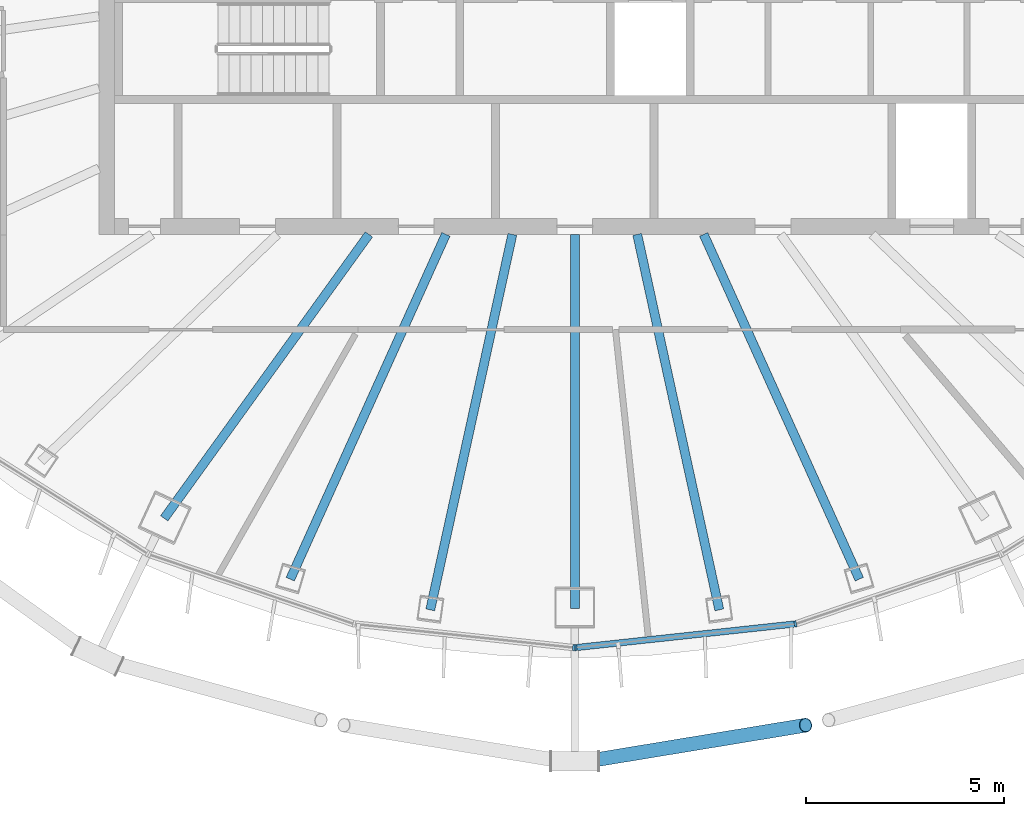
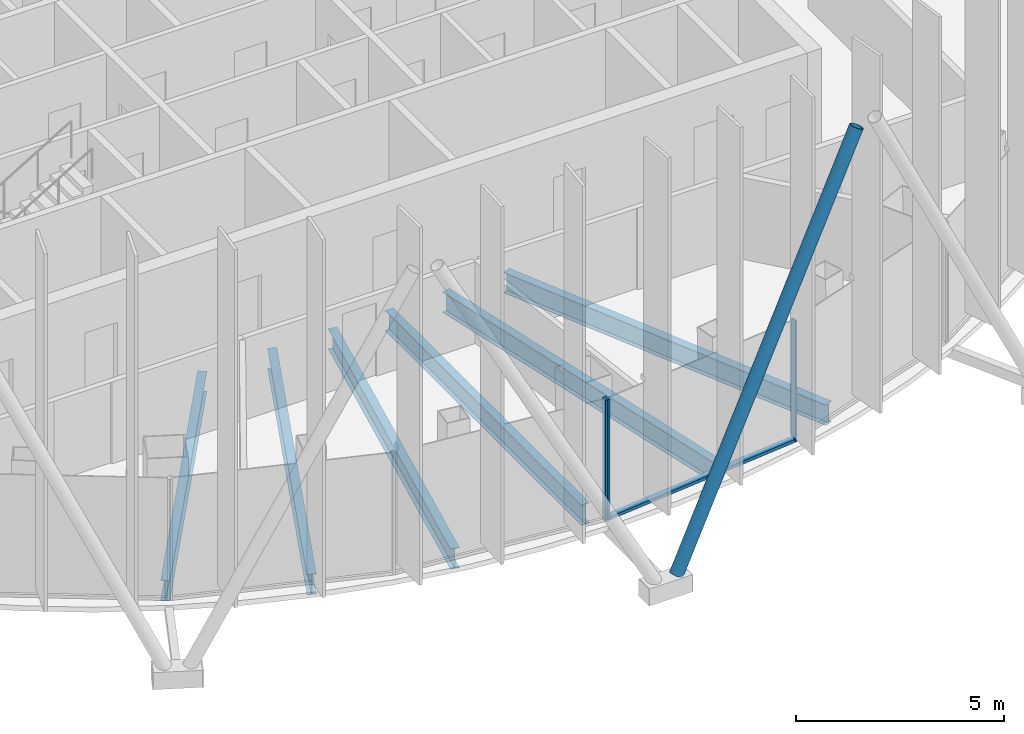
# One storey, part 3 of 20: 6 beams, 5 members, 2 elements without a shape of their own.
"""IFC4 building model written with IfcOpenShell, lengths in metres."""

from ifc_helpers import new_model, si_unit, direction, frame, origin, origin_2d, place, context, subcontext, project, spatial, rectangle, hollow_circle, i_section, extrude, material, layer, layer_set, material_profile, profile_set, type_object, element, aggregate, save


model = new_model("IFC4")

# Units and contexts
model_context = context("Model", 3, precision=1e-05, world=origin(), true_north=direction((0.0, 1.0)))
body_context = subcontext(model_context, "Body", "Model", "MODEL_VIEW")
ifc_project = project(units=[si_unit("LENGTHUNIT", "METRE"), si_unit("AREAUNIT", "SQUARE_METRE"), si_unit("VOLUMEUNIT", "CUBIC_METRE"), si_unit("PLANEANGLEUNIT", "RADIAN"), si_unit("MASSUNIT", "GRAM", prefix="KILO")], contexts=[model_context])

# Site, building, storey
site_placement = place(None, origin())
site = spatial("IfcSite", under=ifc_project, at=site_placement, CompositionType="ELEMENT")
building_placement = place(site_placement, origin())
building = spatial("IfcBuilding", under=site, at=building_placement, Name="Siaravel Broadcast Tower", CompositionType="ELEMENT")
storey_placement = place(building_placement, frame((0.0, 0.0, 228.199951171875)))
storey = spatial("IfcBuildingStorey", under=building, at=storey_placement, Name="L55", CompositionType="ELEMENT", Elevation=228.199951171875)

# Beams
ifc_material_1 = material(Name="Steel S355", Category="steel")
ifc_material_profile_1 = material_profile(ifc_material_1, i_section(OverallWidth=0.2275390625, OverallDepth=0.6025390625, WebThickness=0.010498046875, FlangeThickness=0.014892578125, FilletRadius=0.0126953125, at=origin_2d()))
ifc_profile_set_1 = profile_set([ifc_material_profile_1], Name="Steel S355")
beam_type = type_object("IfcBeamType", Name="BM-UB 610x229x101", PredefinedType="BEAM", material=ifc_profile_set_1)
beam_1_placement = place(storey_placement, frame((-10.351806640625, -14.359375, -0.451171875), z_axis=(0.584778294, 0.811193163, 0.0), x_axis=(-0.811193163, 0.584778294, 0.0)))
element("IfcBeam", 1, at=beam_1_placement, inside=storey, type_object=beam_type, Name="Radial beam RB25", PredefinedType="BEAM", context=body_context, shape_type="SweptSolid", body=[
    extrude(i_section(OverallWidth=0.2275390625, OverallDepth=0.6025390625, WebThickness=0.010498046875, FlangeThickness=0.014892578125, FilletRadius=0.0126953125, at=origin_2d()), origin(), (0.0, 0.0, 1.0), 8.82568359375),
])
beam_2_placement = place(storey_placement, frame((-7.17431640625, -15.89306640625, -0.451171875), z_axis=(0.411446808, 0.911433774, 0.0), x_axis=(-0.911433774, 0.411446808, 0.0)))
element("IfcBeam", 2, at=beam_2_placement, inside=storey, type_object=beam_type, Name="Radial beam RB26", PredefinedType="BEAM", context=body_context, shape_type="SweptSolid", body=[
    extrude(i_section(OverallWidth=0.2275390625, OverallDepth=0.6025390625, WebThickness=0.010498046875, FlangeThickness=0.014892578125, FilletRadius=0.0126953125, at=origin_2d()), origin(), (0.0, 0.0, 1.0), 9.537841796875),
])
beam_3_placement = place(storey_placement, frame((-3.64404296875, -16.667724609375, -0.451171875), z_axis=(0.213573666, 0.976926962, 0.0), x_axis=(-0.976926962, 0.213573666, 0.0)))
element("IfcBeam", 3, at=beam_3_placement, inside=storey, type_object=beam_type, Name="Radial beam RB27", PredefinedType="BEAM", context=body_context, shape_type="SweptSolid", body=[
    extrude(i_section(OverallWidth=0.2275390625, OverallDepth=0.6025390625, WebThickness=0.010498046875, FlangeThickness=0.014892578125, FilletRadius=0.0126953125, at=origin_2d()), origin(), (0.0, 0.0, 1.0), 9.69140625),
])
beam_4_placement = place(storey_placement, frame((0.0, -16.62890625, -0.451171875), z_axis=(0.0, 1.0, 0.0), x_axis=(-1.0, 0.0, 0.0)))
element("IfcBeam", 4, at=beam_4_placement, inside=storey, type_object=beam_type, Name="Radial beam RB28", PredefinedType="BEAM", context=body_context, shape_type="SweptSolid", body=[
    extrude(i_section(OverallWidth=0.2275390625, OverallDepth=0.6025390625, WebThickness=0.010498046875, FlangeThickness=0.014892578125, FilletRadius=0.0126953125, at=origin_2d()), origin(), (0.0, 0.0, 1.0), 9.428955078125),
])
beam_5_placement = place(storey_placement, frame((3.64404296875, -16.667724609375, -0.451171875), z_axis=(-0.213573666, 0.976926962, 0.0), x_axis=(-0.976926962, -0.213573666, 0.0)))
element("IfcBeam", 5, at=beam_5_placement, inside=storey, type_object=beam_type, Name="Radial beam RB29", PredefinedType="BEAM", context=body_context, shape_type="SweptSolid", body=[
    extrude(i_section(OverallWidth=0.2275390625, OverallDepth=0.6025390625, WebThickness=0.010498046875, FlangeThickness=0.014892578125, FilletRadius=0.0126953125, at=origin_2d()), origin(), (0.0, 0.0, 1.0), 9.69140625),
])
beam_6_placement = place(storey_placement, frame((7.17431640625, -15.89306640625, -0.451171875), z_axis=(-0.411446808, 0.911433774, 0.0), x_axis=(-0.911433774, -0.411446808, 0.0)))
element("IfcBeam", 6, at=beam_6_placement, inside=storey, type_object=beam_type, Name="Radial beam RB30", PredefinedType="BEAM", context=body_context, shape_type="SweptSolid", body=[
    extrude(i_section(OverallWidth=0.2275390625, OverallDepth=0.6025390625, WebThickness=0.010498046875, FlangeThickness=0.014892578125, FilletRadius=0.0126953125, at=origin_2d()), origin(), (0.0, 0.0, 1.0), 9.537841796875),
])

# Curtain wall, member
ifc_material_2 = material(Name="Aluminium 6063-T6", Category="aluminium")
ifc_layer = layer(ifc_material_2, 0.159912109375)
ifc_layer_set = layer_set([ifc_layer], Name="Aluminium 6063-T6")
curtain_wall_type = type_object("IfcCurtainWallType", Name="Unitised curtain wall, zone 4", PredefinedType="NOTDEFINED", material=ifc_layer_set)
curtain_wall_1_placement = place(storey_placement, origin())
curtain_wall_1 = element("IfcCurtainWall", 7, at=curtain_wall_1_placement, inside=storey, type_object=curtain_wall_type, Name="L55 Unitised curtain wall, zone 4 09", PredefinedType="NOTDEFINED")
ifc_material_profile_2 = material_profile(ifc_material_2, rectangle(XDim=0.159912109375, YDim=0.054931640625, at=origin_2d()))
ifc_profile_set_2 = profile_set([ifc_material_profile_2], Name="Aluminium 6063-T6")
member_type_1 = type_object("IfcMemberType", Name="CW-Z4 mullion", PredefinedType="MULLION", material=ifc_profile_set_2)
member_1_placement = place(storey_placement, frame((-0.02734375, -17.61865234375, 0.0), z_axis=(0.0, 0.0, 1.0), x_axis=(0.107217743, 0.994235563, 0.0)))
member_1 = element("IfcMember", 8, at=member_1_placement, type_object=member_type_1, Name="CW-Z4 mullion 3", PredefinedType="MULLION", context=body_context, shape_type="SweptSolid", body=[
    extrude(rectangle(XDim=0.159912109375, YDim=0.054931640625, at=origin_2d()), origin(), (0.0, 0.0, 1.0), 3.550048828125),
])
aggregate(curtain_wall_1, [member_1])

# Curtain wall, members
curtain_wall_2_placement = place(storey_placement, origin())
curtain_wall_2 = element("IfcCurtainWall", 9, at=curtain_wall_2_placement, inside=storey, type_object=curtain_wall_type, Name="L55 Unitised curtain wall, zone 4 10", PredefinedType="NOTDEFINED")
member_2_placement = place(storey_placement, frame((0.02734375, -17.61865234375, 0.0), z_axis=(0.0, 0.0, 1.0), x_axis=(-0.107217743, 0.994235563, 0.0)))
member_2 = element("IfcMember", 10, at=member_2_placement, type_object=member_type_1, Name="CW-Z4 mullion 1", PredefinedType="MULLION", context=body_context, shape_type="SweptSolid", body=[
    extrude(rectangle(XDim=0.159912109375, YDim=0.054931640625, at=origin_2d()), origin(), (0.0, 0.0, 1.0), 3.550048828125),
])
member_3_placement = place(storey_placement, frame((5.56298828125, -17.021728515625, 0.0), z_axis=(0.0, 0.0, 1.0), x_axis=(-0.215558569, 0.976490913, 0.0)))
member_3 = element("IfcMember", 11, at=member_3_placement, type_object=member_type_1, Name="CW-Z4 mullion 2", PredefinedType="MULLION", context=body_context, shape_type="SweptSolid", body=[
    extrude(rectangle(XDim=0.159912109375, YDim=0.054931640625, at=origin_2d()), origin(), (0.0, 0.0, 1.0), 3.550048828125),
])
ifc_material_profile_3 = material_profile(ifc_material_2, rectangle(XDim=0.159912109375, YDim=0.090087890625, at=origin_2d()))
ifc_profile_set_3 = profile_set([ifc_material_profile_3], Name="Aluminium 6063-T6")
member_type_2 = type_object("IfcMemberType", Name="CW-Z4 transom", PredefinedType="USERDEFINED", material=ifc_profile_set_3)
member_4_placement = place(storey_placement, frame((0.0546875, -17.61572265625, 0.045166015625), z_axis=(0.994235535, 0.107218006, 0.0), x_axis=(-0.107218006, 0.994235535, 0.0)))
member_4 = element("IfcMember", 12, at=member_4_placement, type_object=member_type_2, Name="CW-Z4 transom 1", ObjectType="TRANSOM", PredefinedType="USERDEFINED", context=body_context, shape_type="SweptSolid", body=[
    extrude(rectangle(XDim=0.159912109375, YDim=0.090087890625, at=origin_2d()), origin(), (0.0, 0.0, 1.0), 5.5126953125),
])
aggregate(curtain_wall_2, [member_2, member_3, member_4])

# Member
ifc_material_3 = material(Name="Steel S460", Category="steel")
ifc_material_profile_4 = material_profile(ifc_material_3, hollow_circle(Radius=0.177734375, WallThickness=0.012451171875, at=origin_2d()))
ifc_profile_set_4 = profile_set([ifc_material_profile_4], Name="Steel S460")
member_type_3 = type_object("IfcMemberType", Name="Diagrid diagonal CHS 355.6x12.5", PredefinedType="BRACE", material=ifc_profile_set_4)
member_5_placement = place(storey_placement, frame((0.295654296875, -20.486328125, 0.02001953125), z_axis=(0.458853879, 0.075627457, 0.885287301), x_axis=(-0.162624126, 0.986688093, 0.0)))
element("IfcMember", 13, at=member_5_placement, inside=storey, type_object=member_type_3, Name="Diagrid diagonal R23 station 54A", PredefinedType="BRACE", context=body_context, shape_type="SweptSolid", body=[
    extrude(hollow_circle(Radius=0.177734375, WallThickness=0.012451171875, at=origin_2d()), origin(), (0.0, 0.0, 1.0), 12.041259765625),
])

save(model, "model.ifc")
